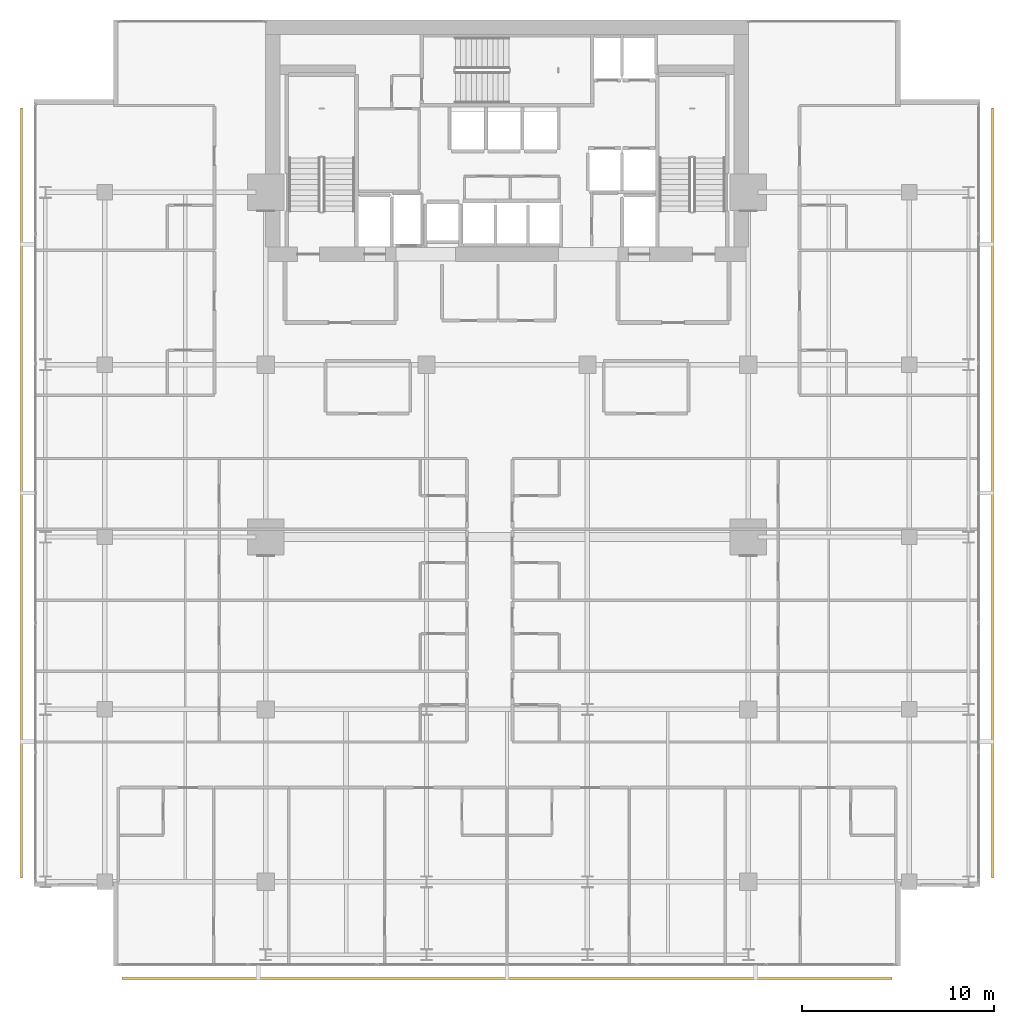
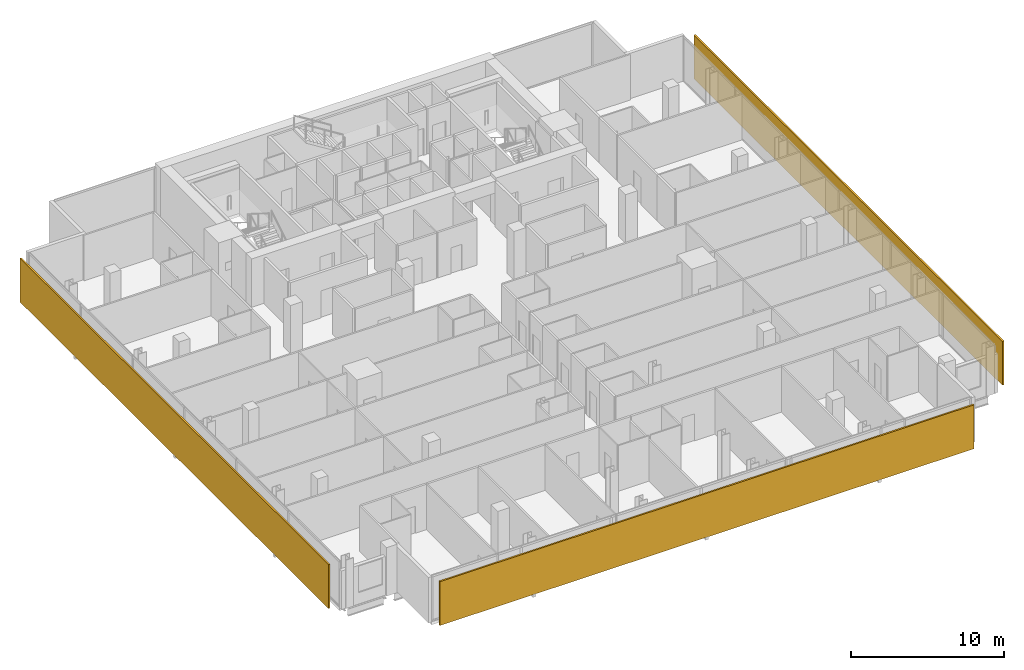
# One storey, part 33 of 34: 3 shading devices.
"""IFC4 building model written with IfcOpenShell, lengths in metres."""

from ifc_helpers import new_model, si_unit, direction, frame, origin, origin_2d, place, context, subcontext, project, spatial, rectangle, extrude, material, layer, layer_set, type_object, element, save


model = new_model("IFC4")

# Units and contexts
model_context = context("Model", 3, precision=1e-05, world=origin(), true_north=direction((0.0, 1.0)))
body_context = subcontext(model_context, "Body", "Model", "MODEL_VIEW")
ifc_project = project(units=[si_unit("LENGTHUNIT", "METRE"), si_unit("AREAUNIT", "SQUARE_METRE"), si_unit("VOLUMEUNIT", "CUBIC_METRE"), si_unit("PLANEANGLEUNIT", "RADIAN"), si_unit("MASSUNIT", "GRAM", prefix="KILO")], contexts=[model_context])

# Site, building, storey
site_placement = place(None, origin())
site = spatial("IfcSite", under=ifc_project, at=site_placement, CompositionType="ELEMENT")
building_placement = place(site_placement, origin())
building = spatial("IfcBuilding", under=site, at=building_placement, Name="Maruvema Waterfront Hotel and Observation Tower", CompositionType="ELEMENT")
storey_placement = place(building_placement, frame((0.0, 0.0, 192.85009765625)))
storey = spatial("IfcBuildingStorey", under=building, at=storey_placement, Name="L47", CompositionType="ELEMENT", Elevation=192.85009765625)

# Shading devices
ifc_material = material(Name="Honed travertine stone and anodised architectural bronze", Category="masonry")
ifc_layer = layer(ifc_material, 0.1201171875, Name="Ventilated Outer Skin Cobogo Stone-and-Bronze Screen 120 mm")
ifc_layer_set = layer_set([ifc_layer], Name="Honed travertine stone and anodised architectural bronze")
shading_device_type = type_object("IfcShadingDeviceType", Name="Ventilated Outer Skin Cobogo Stone-and-Bronze Screen 120 mm", PredefinedType="USERDEFINED", material=ifc_layer_set)
for number, where, z_axis, x_axis, name in (
    (1, (37.800048828125, 3.949951171875, 0.06005859375), (0.0, 0.0, 1.0), (1.0, 0.0, 0.0), "L47 Ventilated Double-Skin Outer Cobogo Screen OS-L47-S"),
    (2, (63.14990234375, 29.300048828125, 0.06005859375), (0.0, 0.0, 1.0), (0.0, 1.0, 0.0), "L47 Ventilated Double-Skin Outer Cobogo Screen OS-L47-E"),
    (3, (12.449951171875, 29.300048828125, 0.06005859375), (0.0, 0.0, 1.0), (0.0, -1.0, 0.0), "L47 Ventilated Double-Skin Outer Cobogo Screen OS-L47-W"),
):
    element("IfcShadingDevice", number, at=place(storey_placement, frame(where, z_axis=z_axis, x_axis=x_axis)), inside=storey, type_object=shading_device_type, Name=name, ObjectType="OUTER SKIN SCREEN", PredefinedType="USERDEFINED", context=body_context, shape_type="SweptSolid", body=[
        extrude(rectangle(XDim=40.199951171875, YDim=0.1201171875, at=origin_2d()), origin(), (0.0, 0.0, 1.0), 3.489990234375),
    ])

save(model, "model.ifc")
